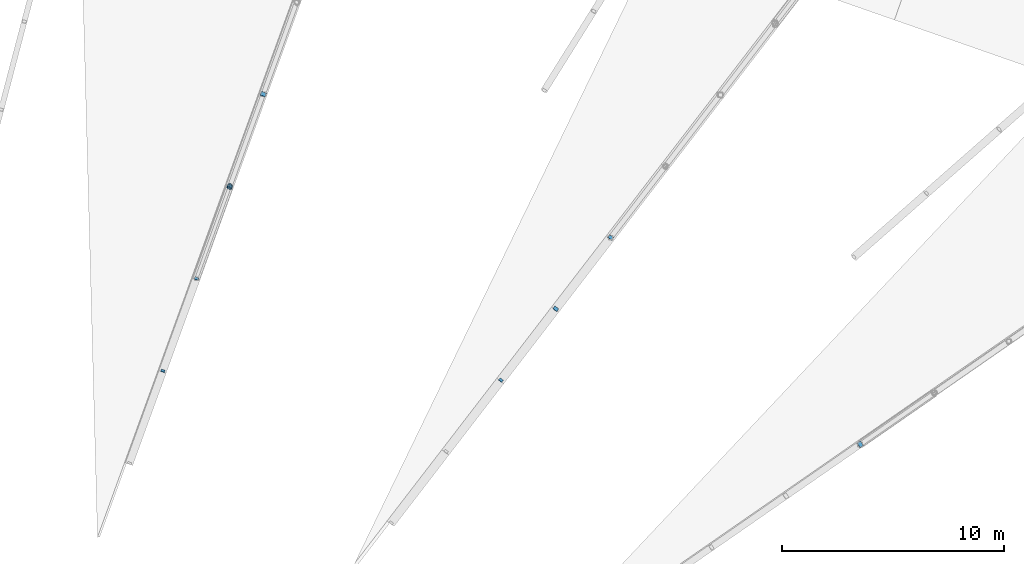
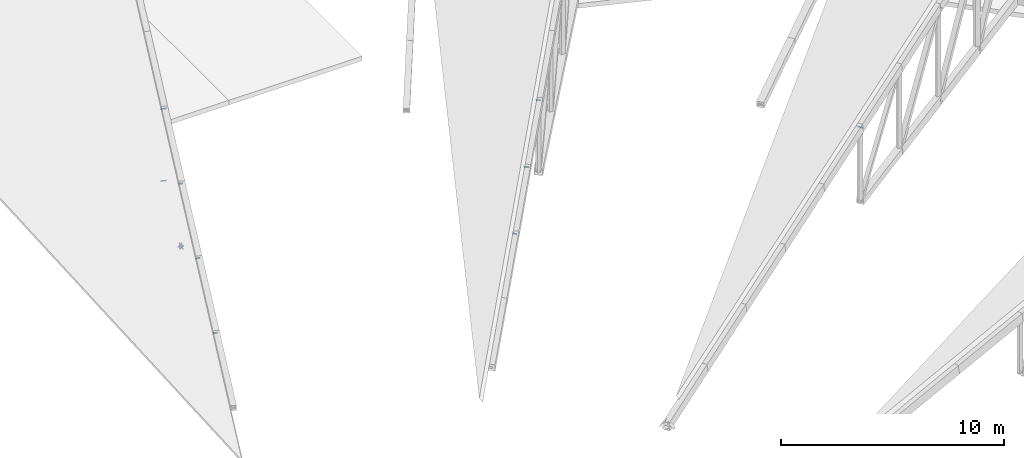
# One storey, part 179 of 188: 12 discrete accessories.
"""IFC4 building model written with IfcOpenShell, lengths in metres."""

import ifcopenshell
import ifcopenshell.guid

model = None  # the IFC model being written
_history = None  # IfcOwnerHistory: only IFC2X3 demands one
_inside = {}  # id of a spatial element -> (the spatial element, [elements in it])
_under = {}  # id of a project, library or spatial element -> (it, [spatial elements below it])
_declared = {}  # id of a project -> (the project, [libraries it declares])
_typed = {}  # id of a type object -> (the type object, [elements of that type])
_made_of = {}  # id of a material, layer set ... -> (it, [elements and type objects made of it])


def new_model(schema):
    """Start an empty IFC model of exactly this schema.

    Asked for "IFC4X3", IfcOpenShell would pick the latest addendum, in which some entities
    have other attributes; the version numbers below select the first issue.
    IFC2X3 requires an IfcOwnerHistory on every rooted entity: one is made here for all.
    """
    global model, _history
    if schema == "IFC4X3":
        model = ifcopenshell.file(schema_version=(4, 3, 0, 0))
    else:
        model = ifcopenshell.file(schema=schema)
    _inside.clear()
    _under.clear()
    _declared.clear()
    _typed.clear()
    _made_of.clear()
    _history = None
    if model.schema == "IFC2X3":
        org = make("IfcOrganization", Name="unknown")
        user = make(
            "IfcPersonAndOrganization",
            ThePerson=make("IfcPerson", FamilyName="unknown"),
            TheOrganization=org,
        )
        app = make(
            "IfcApplication",
            ApplicationDeveloper=org,
            Version="unknown",
            ApplicationFullName="unknown",
            ApplicationIdentifier="unknown",
        )
        _history = make(
            "IfcOwnerHistory",
            OwningUser=user,
            OwningApplication=app,
            ChangeAction="ADDED",
            CreationDate=0,
        )
    return model


def make(cls, **values):
    """One entity of the class cls with the attributes given. An attribute that is None is left unset."""
    return model.create_entity(
        cls, **{name: value for name, value in values.items() if value is not None}
    )


def rooted(cls, **values):
    """An entity with a GlobalId (a new one), such as an element, a storey or a relation."""
    return make(cls, GlobalId=ifcopenshell.guid.new(), OwnerHistory=_history, **values)


def si_unit(unit_type, name, prefix=None):
    """IfcSIUnit, for example si_unit("LENGTHUNIT", "METRE", prefix="MILLI")."""
    return make("IfcSIUnit", UnitType=unit_type, Prefix=prefix, Name=name)


def assignment(units):
    """IfcUnitAssignment: the units of a project."""
    return None if units is None else make("IfcUnitAssignment", Units=units)


def point(xyz):
    """IfcCartesianPoint."""
    return None if xyz is None else make("IfcCartesianPoint", Coordinates=xyz)


def direction(xyz):
    """IfcDirection."""
    return None if xyz is None else make("IfcDirection", DirectionRatios=xyz)


def frame(location, z_axis=None, x_axis=None):
    """IfcAxis2Placement3D, a coordinate frame: its origin and axes. An axis left out is left unset."""
    return make(
        "IfcAxis2Placement3D",
        Location=point(location),
        Axis=direction(z_axis),
        RefDirection=direction(x_axis),
    )


def frame_2d(location, x_axis=None):
    """IfcAxis2Placement2D, a coordinate frame in the plane: its origin and x axis."""
    return make(
        "IfcAxis2Placement2D", Location=point(location), RefDirection=direction(x_axis)
    )


def origin():
    """The frame at (0, 0, 0) with its axes left unset."""
    return frame((0.0, 0.0, 0.0))


def origin_2d():
    """The frame at (0, 0) in the plane with its x axis left unset."""
    return frame_2d((0.0, 0.0))


def place(relative_to, where):
    """IfcLocalPlacement: puts the frame where relative to a parent placement (None: the world)."""
    return make(
        "IfcLocalPlacement", PlacementRelTo=relative_to, RelativePlacement=where
    )


def context(
    kind, dimensions, precision=None, world=None, true_north=None, identifier=None
):
    """IfcGeometricRepresentationContext, for example the 3D "Model" context."""
    return make(
        "IfcGeometricRepresentationContext",
        ContextIdentifier=identifier,
        ContextType=kind,
        CoordinateSpaceDimension=dimensions,
        Precision=precision,
        WorldCoordinateSystem=world,
        TrueNorth=true_north,
    )


def subcontext(parent, identifier, kind, view, scale=None):
    """IfcGeometricRepresentationSubContext, for example "Body" below "Model"."""
    return make(
        "IfcGeometricRepresentationSubContext",
        ContextIdentifier=identifier,
        ContextType=kind,
        ParentContext=parent,
        TargetScale=scale,
        TargetView=view,
    )


def project(units=None, contexts=None):
    """IfcProject with its units and contexts."""
    return rooted(
        "IfcProject",
        Name="project",
        RepresentationContexts=contexts,
        UnitsInContext=assignment(units),
    )


def spatial(cls, under=None, at=None, **own):
    """A site, building, storey or space (cls), placed at a placement, below another one or the project."""
    s = rooted(cls, ObjectPlacement=at, **own)
    if under is not None:
        _under.setdefault(under.id(), (under, []))[1].append(s)
    return s


def profile(cls, at=None, kind="AREA", **sizes):
    """A parametric profile (cls). Its sizes go by their IFC names, for example OverallWidth=200.0."""
    return make(cls, ProfileType=kind, Position=at, **sizes)


def rectangle(**sizes):
    """IfcRectangleProfileDef."""
    return profile("IfcRectangleProfileDef", **sizes)


def extrude(swept, where, along, depth):
    """IfcExtrudedAreaSolid: the profile swept, set in the frame where, extruded along a direction by depth."""
    return make(
        "IfcExtrudedAreaSolid",
        SweptArea=swept,
        Position=where,
        ExtrudedDirection=direction(along),
        Depth=depth,
    )


def shape(context_of_items, identifier, shape_type, items):
    """IfcShapeRepresentation: the items that make up one representation, for example the "Body"."""
    return make(
        "IfcShapeRepresentation",
        ContextOfItems=context_of_items,
        RepresentationIdentifier=identifier,
        RepresentationType=shape_type,
        Items=items,
    )


def material(Name=None, Category=None):
    """IfcMaterial."""
    return make("IfcMaterial", Name=Name, Category=Category)


def material_profile(
    of_material, cross_section, Name=None, Category=None, Priority=None
):
    """IfcMaterialProfile: a cross section and its material."""
    return make(
        "IfcMaterialProfile",
        Name=Name,
        Material=of_material,
        Profile=cross_section,
        Priority=Priority,
        Category=Category,
    )


def profile_set(profiles, Name=None, composite=None):
    """IfcMaterialProfileSet."""
    return make(
        "IfcMaterialProfileSet",
        Name=Name,
        MaterialProfiles=profiles,
        CompositeProfile=composite,
    )


def made_of(thing, what):
    """Note that an element or type object is made of a material, layer set ...; save() writes the relation."""
    if what is not None:
        _made_of.setdefault(what.id(), (what, []))[1].append(thing)
    return thing


def type_object(cls, material=None, **own):
    """A type object (cls), such as IfcWallType, which elements share."""
    return made_of(rooted(cls, **own), material)


def element(
    cls,
    number,
    at=None,
    inside=None,
    cuts=None,
    type_object=None,
    material=None,
    context=None,
    identifier="Body",
    shape_type=None,
    held_by="IfcProductDefinitionShape",
    body=None,
    shapes=None,
    **own,
):
    """One element of the class cls, such as IfcWall. Its Tag is "e" and its number.

    at: its placement. inside: the storey or other place that contains it. cuts: it is an
    opening in that element (IfcRelVoidsElement). A single representation is given by context,
    identifier, shape_type and body (its items); several are given by shapes. held_by: the class
    of the entity that holds the representations. save() writes the other relations.
    """
    e = rooted(cls, Tag="e%d" % number, ObjectPlacement=at, **own)
    if body is not None:
        shapes = [shape(context, identifier, shape_type, body)]
    if shapes is not None:
        e.Representation = make(held_by, Representations=shapes)
    if inside is not None:
        _inside.setdefault(inside.id(), (inside, []))[1].append(e)
    if cuts is not None:
        rooted(
            "IfcRelVoidsElement", RelatingBuildingElement=cuts, RelatedOpeningElement=e
        )
    if type_object is not None:
        _typed.setdefault(type_object.id(), (type_object, []))[1].append(e)
    return made_of(e, material)


def aggregate(whole, parts):
    """IfcRelAggregates: a whole, such as a stair, and the parts it consists of."""
    return rooted("IfcRelAggregates", RelatingObject=whole, RelatedObjects=parts)


def save(model, path):
    """Write the relations noted so far, then the file.

    IfcRelAggregates (storeys below a building ...), IfcRelContainedInSpatialStructure (elements
    in a storey), IfcRelDefinesByType, IfcRelAssociatesMaterial and IfcRelDeclares: one each for
    every whole, place, type object, material and project.
    """
    for whole, parts in _under.values():
        aggregate(whole, parts)
    for where, things in _inside.values():
        rooted(
            "IfcRelContainedInSpatialStructure",
            RelatedElements=things,
            RelatingStructure=where,
        )
    for kind, things in _typed.values():
        rooted("IfcRelDefinesByType", RelatedObjects=things, RelatingType=kind)
    for what, things in _made_of.values():
        rooted("IfcRelAssociatesMaterial", RelatedObjects=things, RelatingMaterial=what)
    for by, libraries in _declared.values():
        rooted("IfcRelDeclares", RelatingContext=by, RelatedDefinitions=libraries)
    model.write(path)


model = new_model("IFC4")

# Units and contexts
model_context = context("Model", 3, precision=1e-05, world=origin(), true_north=direction((0.0, 1.0)))
body_context = subcontext(model_context, "Body", "Model", "MODEL_VIEW")
ifc_project = project(units=[si_unit("LENGTHUNIT", "METRE"), si_unit("AREAUNIT", "SQUARE_METRE"), si_unit("VOLUMEUNIT", "CUBIC_METRE"), si_unit("PLANEANGLEUNIT", "RADIAN"), si_unit("MASSUNIT", "GRAM", prefix="KILO")], contexts=[model_context])

# Site, building, storey
site_placement = place(None, origin())
site = spatial("IfcSite", under=ifc_project, at=site_placement, CompositionType="ELEMENT")
building_placement = place(site_placement, origin())
building = spatial("IfcBuilding", under=site, at=building_placement, Name="Meseta Stadium", CompositionType="ELEMENT")
storey_placement = place(building_placement, frame((0.0, 0.0, 30.0)))
storey = spatial("IfcBuildingStorey", under=building, at=storey_placement, Name="ROOF", CompositionType="ELEMENT", Elevation=30.0)

# Discrete accessories
ifc_material_1 = material(Name="Steel S355", Category="steel")
ifc_material_profile_1 = material_profile(ifc_material_1, rectangle(XDim=0.179931640625, YDim=0.179931640625, at=origin_2d()), Name="PL 180x180")
ifc_profile_set_1 = profile_set([ifc_material_profile_1], Name="Steel S355")
discrete_accessory_type_1 = type_object("IfcDiscreteAccessoryType", Name="End plate 180x180x20", PredefinedType="ANCHORPLATE", material=ifc_profile_set_1)
for number, where, z_axis, x_axis, name in (
    (1, (42.147705078125, 73.484375, 2.886962890625), (0.475645126622, 0.621997473275, 0.621997473275), (-0.794357832977, 0.607450107571, 0.0), "End plate of ROOF TRUSS RT-14 diagonal"),
    (2, (26.901123046875, 73.901611328125, 2.534912109375), (0.282044096163, 0.784818354541, 0.551825405536), (-0.94107471628, 0.338198726163, 0.0), "End plate of ROOF TRUSS RT-16 diagonal"),
    (3, (28.411865234375, 78.06396484375, 3.575927734375), (0.268672545331, 0.744955693871, 0.610619421206), (-0.940690666396, 0.339265486241, 0.0), "End plate of ROOF TRUSS RT-16 diagonal"),
    (4, (29.922607421875, 82.226318359375, 4.616943359375), (0.256154710728, 0.707474915343, 0.658683541871), (-0.940265849956, 0.340441083605, 0.0), "End plate of ROOF TRUSS RT-16 diagonal"),
):
    element("IfcDiscreteAccessory", number, at=place(storey_placement, frame(where, z_axis=z_axis, x_axis=x_axis)), inside=storey, type_object=discrete_accessory_type_1, Name=name, PredefinedType="ANCHORPLATE", context=body_context, shape_type="SweptSolid", body=[
        extrude(rectangle(XDim=0.179931640625, YDim=0.179931640625, at=origin_2d()), origin(), (0.0, 0.0, 1.0), 0.02001953125),
    ])
ifc_material_2 = material(Name="Steel S355", Category="steel")
ifc_material_profile_2 = material_profile(ifc_material_2, rectangle(XDim=0.219970703125, YDim=0.219970703125, at=origin_2d()), Name="PL 220x220")
ifc_profile_set_2 = profile_set([ifc_material_profile_2], Name="Steel S355")
discrete_accessory_type_2 = type_object("IfcDiscreteAccessoryType", Name="End plate 220x220x20", PredefinedType="ANCHORPLATE", material=ifc_profile_set_2)
discrete_accessory_1_placement = place(storey_placement, frame((44.622802734375, 76.703369140625, 3.72314453125), z_axis=(0.448394272931, 0.581700678397, 0.678650791464), x_axis=(-0.792010197197, 0.610507860339, 0.0)))
element("IfcDiscreteAccessory", 5, at=discrete_accessory_1_placement, inside=storey, type_object=discrete_accessory_type_2, Name="End plate of ROOF TRUSS RT-14 diagonal", PredefinedType="ANCHORPLATE", context=body_context, shape_type="SweptSolid", body=[
    extrude(rectangle(XDim=0.219970703125, YDim=0.219970703125, at=origin_2d()), origin(), (0.0, 0.0, 1.0), 0.020263671875),
])
discrete_accessory_2_placement = place(storey_placement, frame((47.097900390625, 79.92236328125, 4.559326171875), z_axis=(0.426607266949, 0.548495057506, 0.719137964286), x_axis=(-0.789352217376, 0.613940613515, 0.0)))
element("IfcDiscreteAccessory", 6, at=discrete_accessory_2_placement, inside=storey, type_object=discrete_accessory_type_2, Name="End plate of ROOF TRUSS RT-14 diagonal", PredefinedType="ANCHORPLATE", context=body_context, shape_type="SweptSolid", body=[
    extrude(rectangle(XDim=0.219970703125, YDim=0.219970703125, at=origin_2d()), origin(), (0.0, 0.0, 1.0), 0.02001953125),
])
ifc_material_3 = material(Name="Steel S355", Category="steel")
ifc_material_profile_3 = material_profile(ifc_material_3, rectangle(XDim=0.239990234375, YDim=0.239990234375, at=origin_2d()), Name="PL 240x240")
ifc_profile_set_3 = profile_set([ifc_material_profile_3], Name="Steel S355")
discrete_accessory_type_3 = type_object("IfcDiscreteAccessoryType", Name="End plate 240x240x20", PredefinedType="ANCHORPLATE", material=ifc_profile_set_3)
for number, where, z_axis, x_axis, name in (
    (7, (58.35498046875, 70.5888671875, 4.80712890625), (0.573597420318, 0.390534413834, 0.720047825506), (-0.562790977082, 0.826599247589, 0.0), "End plate of ROOF TRUSS RT-12 diagonal"),
    (8, (29.917724609375, 82.213134765625, 1.18408203125), (0.244704392116, 0.660701858714, 0.709642737137), (-0.937748760724, 0.347314355824, 0.0), "End plate of ROOF TRUSS RT-16 diagonal"),
):
    element("IfcDiscreteAccessory", number, at=place(storey_placement, frame(where, z_axis=z_axis, x_axis=x_axis)), inside=storey, type_object=discrete_accessory_type_3, Name=name, PredefinedType="ANCHORPLATE", context=body_context, shape_type="SweptSolid", body=[
        extrude(rectangle(XDim=0.239990234375, YDim=0.239990234375, at=origin_2d()), origin(), (0.0, 0.0, 1.0), 0.02001953125),
    ])
discrete_accessory_3_placement = place(storey_placement, frame((31.433349609375, 86.388671875, 5.657958984375), z_axis=(0.233150773622, 0.66263904082, 0.711723414214), x_axis=(-0.943312390837, 0.331906211591, 0.0)))
element("IfcDiscreteAccessory", 9, at=discrete_accessory_3_placement, inside=storey, type_object=discrete_accessory_type_3, Name="End plate of ROOF TRUSS RT-16 diagonal", PredefinedType="ANCHORPLATE", context=body_context, shape_type="SweptSolid", body=[
    extrude(rectangle(XDim=0.239990234375, YDim=0.239990234375, at=origin_2d()), origin(), (0.0, 0.0, 1.0), 0.019775390625),
])
discrete_accessory_4_placement = place(storey_placement, frame((31.4287109375, 86.376220703125, 1.7197265625), z_axis=(0.232416988925, 0.623856128167, 0.74618085918), x_axis=(-0.937082114833, 0.349109023173, 0.0)))
element("IfcDiscreteAccessory", 10, at=discrete_accessory_4_placement, inside=storey, type_object=discrete_accessory_type_3, Name="End plate of ROOF TRUSS RT-16 diagonal", PredefinedType="ANCHORPLATE", context=body_context, shape_type="SweptSolid", body=[
    extrude(rectangle(XDim=0.239990234375, YDim=0.239990234375, at=origin_2d()), origin(), (0.0, 0.0, 1.0), 0.02001953125),
])
ifc_material_4 = material(Name="Steel S355", Category="steel")
ifc_material_profile_4 = material_profile(ifc_material_4, rectangle(XDim=0.260009765625, YDim=0.260009765625, at=origin_2d()), Name="PL 260x260")
ifc_profile_set_4 = profile_set([ifc_material_profile_4], Name="Steel S355")
discrete_accessory_type_4 = type_object("IfcDiscreteAccessoryType", Name="End plate 260x260x20", PredefinedType="ANCHORPLATE", material=ifc_profile_set_4)
for number, where, z_axis, x_axis, name in (
    (11, (29.922607421875, 82.226318359375, 1.1982421875), (-0.86239765409, 0.255075362477, 0.437272049961), (-0.28362844186, -0.958934255811, 0.0), "End plate of ROOF TRUSS STRUT RT-15/16"),
    (12, (29.94189453125, 82.227294921875, 1.203369140625), (-0.965282693212, -0.048875073074, -0.256594133639), (0.050568132333, -0.998720613581, 0.0), "End plate of ROOF TRUSS STRUT RT-16/17"),
):
    element("IfcDiscreteAccessory", number, at=place(storey_placement, frame(where, z_axis=z_axis, x_axis=x_axis)), inside=storey, type_object=discrete_accessory_type_4, Name=name, PredefinedType="ANCHORPLATE", context=body_context, shape_type="SweptSolid", body=[
        extrude(rectangle(XDim=0.260009765625, YDim=0.260009765625, at=origin_2d()), origin(), (0.0, 0.0, 1.0), 0.02001953125),
    ])

save(model, "model.ifc")
